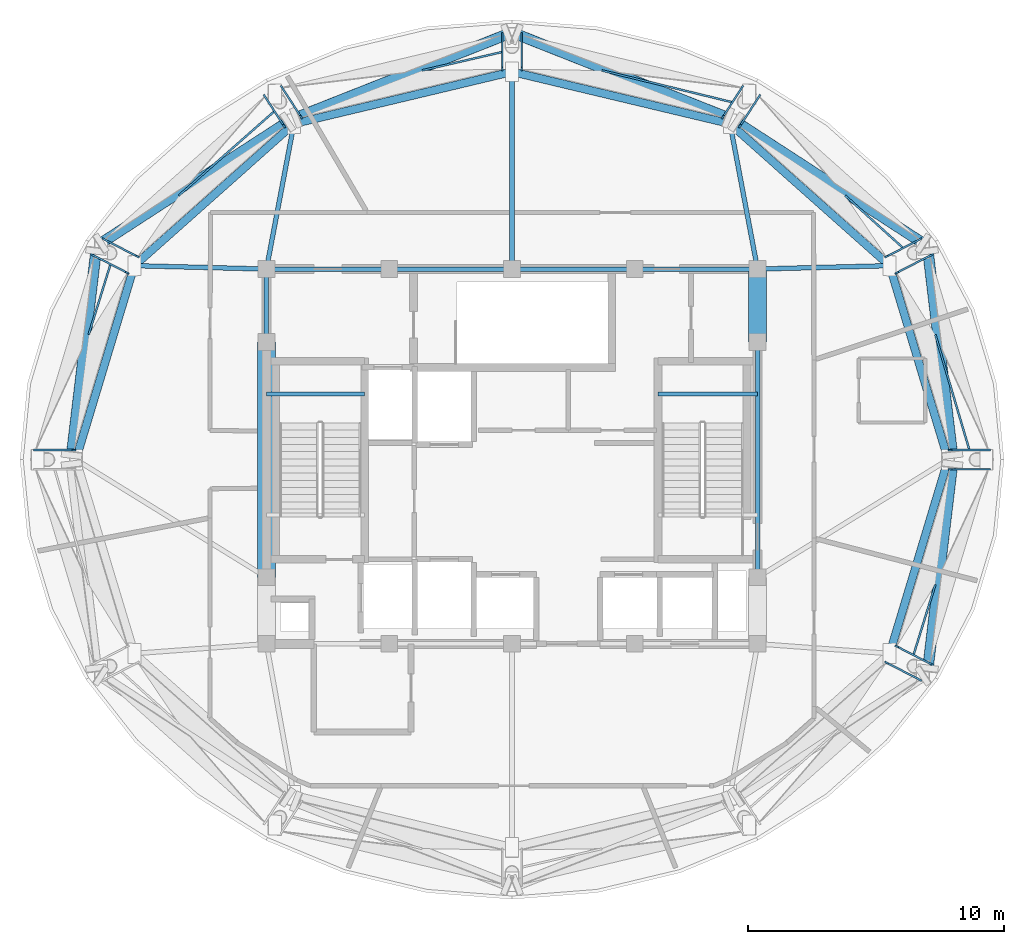
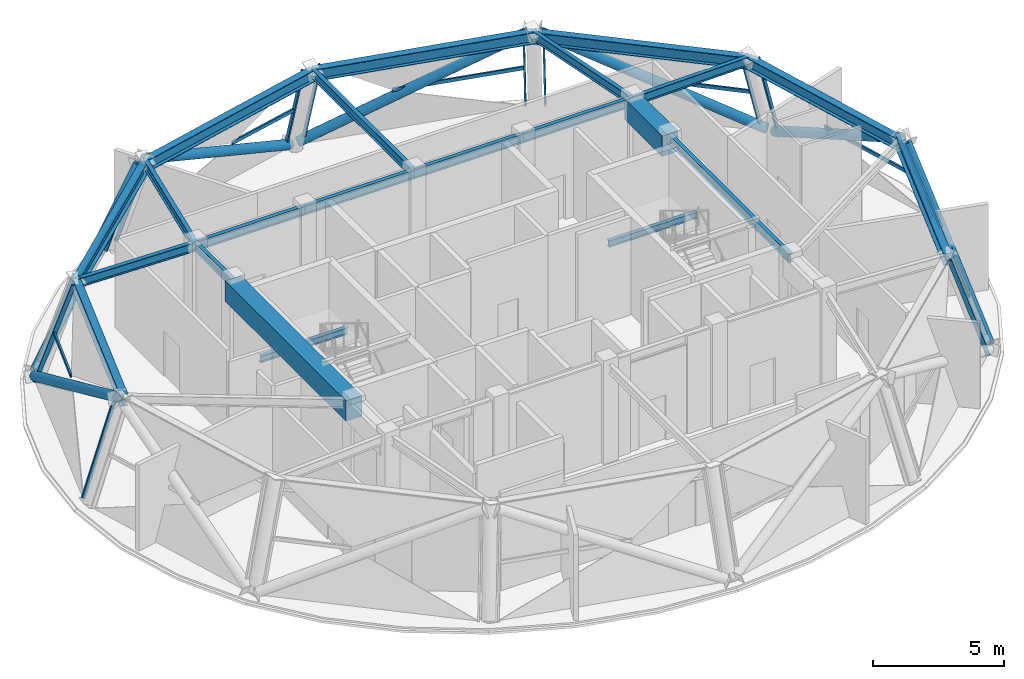
# One storey, part 2 of 11: 29 members, 22 beams, 8 elements without a shape of their own.
"""IFC4 building model written with IfcOpenShell, lengths in metres."""

from ifc_helpers import new_model, si_unit, direction, frame, origin, origin_2d, place, context, subcontext, project, spatial, rectangle, hollow_rectangle, hollow_circle, i_section, extrude, material, layer, layer_set, material_profile, profile_set, type_object, element, aggregate, save


model = new_model("IFC4")

# Units and contexts
model_context = context("Model", 3, precision=1e-05, world=origin(), true_north=direction((0.0, 1.0)))
body_context = subcontext(model_context, "Body", "Model", "MODEL_VIEW")
ifc_project = project(units=[si_unit("LENGTHUNIT", "METRE"), si_unit("AREAUNIT", "SQUARE_METRE"), si_unit("VOLUMEUNIT", "CUBIC_METRE"), si_unit("PLANEANGLEUNIT", "RADIAN"), si_unit("MASSUNIT", "GRAM", prefix="KILO")], contexts=[model_context])

# Site, building, storey
site_placement = place(None, origin())
site = spatial("IfcSite", under=ifc_project, at=site_placement, CompositionType="ELEMENT")
building_placement = place(site_placement, origin())
building = spatial("IfcBuilding", under=site, at=building_placement, Name="Vantalir Tower", CompositionType="ELEMENT")
storey_placement = place(building_placement, frame((0.0, 0.0, 299.699951171875)))
storey = spatial("IfcBuildingStorey", under=building, at=storey_placement, Name="L75", CompositionType="ELEMENT", Elevation=299.699951171875)

# Beams
ifc_material_1 = material(Name="Concrete C60/75", Category="concrete")
ifc_material_profile_1 = material_profile(ifc_material_1, rectangle(XDim=0.699951171875, YDim=0.949951171875, at=origin_2d()), Name="Concrete C60/75")
ifc_profile_set_1 = profile_set([ifc_material_profile_1], Name="Concrete C60/75")
beam_type_1 = type_object("IfcBeamType", Name="BM-CB-700x950", PredefinedType="USERDEFINED", material=ifc_profile_set_1)
beam_1_placement = place(storey_placement, frame((41.10009765625, 29.60009765625, 4.074951171875), z_axis=(0.0, 1.0, 0.0), x_axis=(-1.0, 0.0, 0.0)))
element("IfcBeam", 1, at=beam_1_placement, inside=storey, type_object=beam_type_1, Name="L75 Core Coupling Girder 07", ObjectType="GIRDER", PredefinedType="USERDEFINED", context=body_context, shape_type="SweptSolid", body=[
    extrude(rectangle(XDim=0.699951171875, YDim=0.949951171875, at=origin_2d()), origin(), (0.0, 0.0, 1.0), 2.849853515625),
])
beam_2_placement = place(storey_placement, frame((21.89990234375, 29.60009765625, 4.074951171875), z_axis=(0.0, -1.0, 0.0), x_axis=(1.0, 0.0, 0.0)))
element("IfcBeam", 2, at=beam_2_placement, inside=storey, type_object=beam_type_1, Name="L75 Core Coupling Girder 13", ObjectType="GIRDER", PredefinedType="USERDEFINED", context=body_context, shape_type="SweptSolid", body=[
    extrude(rectangle(XDim=0.699951171875, YDim=0.949951171875, at=origin_2d()), origin(), (0.0, 0.0, 1.0), 9.2001953125),
])
ifc_material_2 = material(Name="Steel S355", Category="steel")
ifc_material_profile_2 = material_profile(ifc_material_2, i_section(OverallWidth=0.166015625, OverallDepth=0.306884765625, WebThickness=0.006591796875, FlangeThickness=0.01171875, at=origin_2d()), Name="Steel S355")
ifc_profile_set_2 = profile_set([ifc_material_profile_2], Name="Steel S355")
beam_type_2 = type_object("IfcBeamType", Name="BM-JS-305x165", PredefinedType="JOIST", material=ifc_profile_set_2)
beam_3_placement = place(storey_placement, frame((21.89990234375, 27.56494140625, 2.046142578125), z_axis=(1.0, 0.0, 0.0), x_axis=(0.0, 1.0, 0.0)))
element("IfcBeam", 3, at=beam_3_placement, inside=storey, type_object=beam_type_2, Name="L75 Stair ST1 Half-Landing Support Beam", PredefinedType="JOIST", context=body_context, shape_type="SweptSolid", body=[
    extrude(i_section(OverallWidth=0.166015625, OverallDepth=0.306884765625, WebThickness=0.006591796875, FlangeThickness=0.01171875, at=origin_2d()), origin(), (0.0, 0.0, 1.0), 3.840087890625),
])
beam_4_placement = place(storey_placement, frame((37.2099609375, 27.56494140625, 2.046142578125), z_axis=(1.0, 0.0, 0.0), x_axis=(0.0, 1.0, 0.0)))
element("IfcBeam", 4, at=beam_4_placement, inside=storey, type_object=beam_type_2, Name="L75 Stair ST2 Half-Landing Support Beam", PredefinedType="JOIST", context=body_context, shape_type="SweptSolid", body=[
    extrude(i_section(OverallWidth=0.166015625, OverallDepth=0.306884765625, WebThickness=0.006591796875, FlangeThickness=0.01171875, at=origin_2d()), origin(), (0.0, 0.0, 1.0), 3.89013671875),
])
ifc_material_profile_3 = material_profile(ifc_material_2, i_section(OverallWidth=0.179931640625, OverallDepth=0.4130859375, WebThickness=0.009521484375, FlangeThickness=0.01611328125, at=origin_2d()), Name="Steel S355")
ifc_profile_set_3 = profile_set([ifc_material_profile_3], Name="Steel S355")
beam_type_3 = type_object("IfcBeamType", Name="BM-RB-406x178", PredefinedType="BEAM", material=ifc_profile_set_3)
beam_5_placement = place(storey_placement, frame((41.10009765625, 20.39990234375, 4.343994140625), z_axis=(0.0, 1.0, 0.0), x_axis=(-1.0, 0.0, 0.0)))
element("IfcBeam", 5, at=beam_5_placement, inside=storey, type_object=beam_type_3, Name="L75 Core Coupling Girder 06", PredefinedType="BEAM", context=body_context, shape_type="SweptSolid", body=[
    extrude(i_section(OverallWidth=0.179931640625, OverallDepth=0.4130859375, WebThickness=0.009521484375, FlangeThickness=0.01611328125, at=origin_2d()), origin(), (0.0, 0.0, 1.0), 9.2001953125),
])
for number, where, z_axis, x_axis, name in (
    (6, (41.10009765625, 32.449951171875, 4.343994140625), (-1.0, 0.0, 0.0), (0.0, -1.0, 0.0), "L75 Core Coupling Girder 08"),
    (7, (36.300048828125, 32.449951171875, 4.343994140625), (-1.0, 0.0, 0.0), (0.0, -1.0, 0.0), "L75 Core Coupling Girder 09"),
    (8, (31.5, 32.449951171875, 4.343994140625), (-1.0, 0.0, 0.0), (0.0, -1.0, 0.0), "L75 Core Coupling Girder 10"),
    (9, (26.699951171875, 32.449951171875, 4.343994140625), (-1.0, 0.0, 0.0), (0.0, -1.0, 0.0), "L75 Core Coupling Girder 11"),
):
    element("IfcBeam", number, at=place(storey_placement, frame(where, z_axis=z_axis, x_axis=x_axis)), inside=storey, type_object=beam_type_3, Name=name, PredefinedType="BEAM", context=body_context, shape_type="SweptSolid", body=[
        extrude(i_section(OverallWidth=0.179931640625, OverallDepth=0.4130859375, WebThickness=0.009521484375, FlangeThickness=0.01611328125, at=origin_2d()), origin(), (0.0, 0.0, 1.0), 4.800048828125),
    ])
beam_6_placement = place(storey_placement, frame((21.89990234375, 32.449951171875, 4.343994140625), z_axis=(0.0, -1.0, 0.0), x_axis=(1.0, 0.0, 0.0)))
element("IfcBeam", 10, at=beam_6_placement, inside=storey, type_object=beam_type_3, Name="L75 Core Coupling Girder 12", PredefinedType="BEAM", context=body_context, shape_type="SweptSolid", body=[
    extrude(i_section(OverallWidth=0.179931640625, OverallDepth=0.4130859375, WebThickness=0.009521484375, FlangeThickness=0.01611328125, at=origin_2d()), origin(), (0.0, 0.0, 1.0), 2.849853515625),
])
beam_7_placement = place(storey_placement, frame((46.26611328125, 32.58203125, 4.343994140625), z_axis=(-0.999673321649, -0.02555875553, 0.0), x_axis=(0.02555875553, -0.999673321649, 0.0)))
element("IfcBeam", 11, at=beam_7_placement, inside=storey, type_object=beam_type_3, Name="L75 Radial Floor Beam 02", PredefinedType="BEAM", context=body_context, shape_type="SweptSolid", body=[
    extrude(i_section(OverallWidth=0.179931640625, OverallDepth=0.4130859375, WebThickness=0.009521484375, FlangeThickness=0.01611328125, at=origin_2d()), origin(), (0.0, 0.0, 1.0), 5.167724609375),
])
beam_8_placement = place(storey_placement, frame((40.02490234375, 38.132080078125, 4.343994140625), z_axis=(0.185924715344, -0.982563992941, 0.0), x_axis=(0.982563992941, 0.185924715344, 0.0)))
element("IfcBeam", 12, at=beam_8_placement, inside=storey, type_object=beam_type_3, Name="L75 Radial Floor Beam 03", PredefinedType="BEAM", context=body_context, shape_type="SweptSolid", body=[
    extrude(i_section(OverallWidth=0.179931640625, OverallDepth=0.4130859375, WebThickness=0.009521484375, FlangeThickness=0.01611328125, at=origin_2d()), origin(), (0.0, 0.0, 1.0), 5.782958984375),
])
beam_9_placement = place(storey_placement, frame((31.5, 40.1640625, 4.343994140625), z_axis=(0.0, -1.0, 0.0), x_axis=(1.0, 0.0, 0.0)))
element("IfcBeam", 13, at=beam_9_placement, inside=storey, type_object=beam_type_3, Name="L75 Radial Floor Beam 04", PredefinedType="BEAM", context=body_context, shape_type="SweptSolid", body=[
    extrude(i_section(OverallWidth=0.179931640625, OverallDepth=0.4130859375, WebThickness=0.009521484375, FlangeThickness=0.01611328125, at=origin_2d()), origin(), (0.0, 0.0, 1.0), 7.714111328125),
])
beam_10_placement = place(storey_placement, frame((22.97509765625, 38.132080078125, 4.343994140625), z_axis=(-0.185924715344, -0.982563992941, 0.0), x_axis=(0.982563992941, -0.185924715344, 0.0)))
element("IfcBeam", 14, at=beam_10_placement, inside=storey, type_object=beam_type_3, Name="L75 Radial Floor Beam 05", PredefinedType="BEAM", context=body_context, shape_type="SweptSolid", body=[
    extrude(i_section(OverallWidth=0.179931640625, OverallDepth=0.4130859375, WebThickness=0.009521484375, FlangeThickness=0.01611328125, at=origin_2d()), origin(), (0.0, 0.0, 1.0), 5.782958984375),
])
beam_11_placement = place(storey_placement, frame((16.73388671875, 32.58203125, 4.343994140625), z_axis=(0.999673321649, -0.02555875553, 0.0), x_axis=(0.02555875553, 0.999673321649, 0.0)))
element("IfcBeam", 15, at=beam_11_placement, inside=storey, type_object=beam_type_3, Name="L75 Radial Floor Beam 06", PredefinedType="BEAM", context=body_context, shape_type="SweptSolid", body=[
    extrude(i_section(OverallWidth=0.179931640625, OverallDepth=0.4130859375, WebThickness=0.009521484375, FlangeThickness=0.01611328125, at=origin_2d()), origin(), (0.0, 0.0, 1.0), 5.167724609375),
])
ifc_material_3 = material(Name="Steel S460", Category="steel")
ifc_material_profile_4 = material_profile(ifc_material_3, i_section(OverallWidth=0.31201171875, OverallDepth=0.5419921875, WebThickness=0.0126953125, FlangeThickness=0.020263671875, at=origin_2d()), Name="Steel S460")
ifc_profile_set_4 = profile_set([ifc_material_profile_4], Name="Steel S460")
beam_type_4 = type_object("IfcBeamType", Name="BM-RG-533x312", PredefinedType="USERDEFINED", material=ifc_profile_set_4)
beam_12_placement = place(storey_placement, frame((48.550048828125, 25.0, 4.279052734375), z_axis=(-0.288428217776, 0.957501521247, 0.0), x_axis=(-0.957501521247, -0.288428217776, 0.0)))
element("IfcBeam", 16, at=beam_12_placement, inside=storey, type_object=beam_type_4, Name="L75 Circumferential Ring Girder 01", ObjectType="GIRDER", PredefinedType="USERDEFINED", context=body_context, shape_type="SweptSolid", body=[
    extrude(i_section(OverallWidth=0.31201171875, OverallDepth=0.5419921875, WebThickness=0.0126953125, FlangeThickness=0.020263671875, at=origin_2d()), origin(), (0.0, 0.0, 1.0), 7.91845703125),
])
beam_13_placement = place(storey_placement, frame((46.26611328125, 32.58203125, 4.279052734375), z_axis=(-0.747272217457, 0.664518045667, 0.0), x_axis=(-0.664518045667, -0.747272217457, 0.0)))
element("IfcBeam", 17, at=beam_13_placement, inside=storey, type_object=beam_type_4, Name="L75 Circumferential Ring Girder 02", ObjectType="GIRDER", PredefinedType="USERDEFINED", context=body_context, shape_type="SweptSolid", body=[
    extrude(i_section(OverallWidth=0.31201171875, OverallDepth=0.5419921875, WebThickness=0.0126953125, FlangeThickness=0.020263671875, at=origin_2d()), origin(), (0.0, 0.0, 1.0), 8.35205078125),
])
for number, where, z_axis, x_axis, name in (
    (18, (40.02490234375, 38.132080078125, 4.279052734375), (-0.972748495566, 0.231862813695, 0.0), (-0.231862813695, -0.972748495566, 0.0), "L75 Circumferential Ring Girder 03"),
    (19, (31.5, 40.1640625, 4.279052734375), (-0.972748495566, -0.231862813695, 0.0), (0.231862813695, -0.972748495566, 0.0), "L75 Circumferential Ring Girder 04"),
):
    element("IfcBeam", number, at=place(storey_placement, frame(where, z_axis=z_axis, x_axis=x_axis)), inside=storey, type_object=beam_type_4, Name=name, ObjectType="GIRDER", PredefinedType="USERDEFINED", context=body_context, shape_type="SweptSolid", body=[
        extrude(i_section(OverallWidth=0.31201171875, OverallDepth=0.5419921875, WebThickness=0.0126953125, FlangeThickness=0.020263671875, at=origin_2d()), origin(), (0.0, 0.0, 1.0), 8.763671875),
    ])
beam_14_placement = place(storey_placement, frame((22.97509765625, 38.132080078125, 4.279052734375), z_axis=(-0.747272217457, -0.664518045667, 0.0), x_axis=(0.664518045667, -0.747272217457, 0.0)))
element("IfcBeam", 20, at=beam_14_placement, inside=storey, type_object=beam_type_4, Name="L75 Circumferential Ring Girder 05", ObjectType="GIRDER", PredefinedType="USERDEFINED", context=body_context, shape_type="SweptSolid", body=[
    extrude(i_section(OverallWidth=0.31201171875, OverallDepth=0.5419921875, WebThickness=0.0126953125, FlangeThickness=0.020263671875, at=origin_2d()), origin(), (0.0, 0.0, 1.0), 8.35205078125),
])
for number, where, z_axis, x_axis, name in (
    (21, (16.73388671875, 32.58203125, 4.279052734375), (-0.288428217776, -0.957501521247, 0.0), (0.957501521247, -0.288428217776, 0.0), "L75 Circumferential Ring Girder 06"),
    (22, (46.26611328125, 17.41796875, 4.279052734375), (0.288428217776, 0.957501521247, 0.0), (-0.957501521247, 0.288428217776, 0.0), "L75 Circumferential Ring Girder 12"),
):
    element("IfcBeam", number, at=place(storey_placement, frame(where, z_axis=z_axis, x_axis=x_axis)), inside=storey, type_object=beam_type_4, Name=name, ObjectType="GIRDER", PredefinedType="USERDEFINED", context=body_context, shape_type="SweptSolid", body=[
        extrude(i_section(OverallWidth=0.31201171875, OverallDepth=0.5419921875, WebThickness=0.0126953125, FlangeThickness=0.020263671875, at=origin_2d()), origin(), (0.0, 0.0, 1.0), 7.91845703125),
    ])

# Curtain wall, members
ifc_material_4 = material(Name="Champagne-silver PVDF aluminium and double-silver Low-E glass", Category="aluminium")
ifc_layer = layer(ifc_material_4, 0.219970703125)
ifc_layer_set = layer_set([ifc_layer], Name="Champagne-silver PVDF aluminium and double-silver Low-E glass")
curtain_wall_type = type_object("IfcCurtainWallType", Name="CW-DIAMOND-Z4", PredefinedType="USERDEFINED", material=ifc_layer_set)
curtain_wall_1_placement = place(storey_placement, origin())
curtain_wall_1 = element("IfcCurtainWall", 23, at=curtain_wall_1_placement, inside=storey, type_object=curtain_wall_type, Name="L75 Quilted Pyramid-Diamond Curtain Wall S01", ObjectType="UNITISED CURTAIN WALL", PredefinedType="USERDEFINED")
ifc_material_5 = material(Name="Champagne-silver PVDF aluminium 6063-T6", Category="aluminium")
ifc_material_profile_5 = material_profile(ifc_material_5, hollow_rectangle(XDim=0.070068359375, YDim=0.1650390625, WallThickness=0.00390625, at=origin_2d()), Name="Champagne-silver PVDF aluminium 6063-T6")
ifc_profile_set_5 = profile_set([ifc_material_profile_5], Name="Champagne-silver PVDF aluminium 6063-T6")
member_type_1 = type_object("IfcMemberType", Name="CWM-165x70", PredefinedType="MULLION", material=ifc_profile_set_5)
member_1_placement = place(storey_placement, frame((50.137939453125, 25.373046875, 0.045166015625), z_axis=(-0.320688497526, 0.0, 0.947184716702), x_axis=(0.0, -1.0, 0.0)))
member_1 = element("IfcMember", 24, at=member_1_placement, type_object=member_type_1, Name="CW-L75-S01 Mullion 1", PredefinedType="MULLION", context=body_context, shape_type="SweptSolid", body=[
    extrude(hollow_rectangle(XDim=0.070068359375, YDim=0.1650390625, WallThickness=0.00390625, at=origin_2d()), origin(), (0.0, 0.0, 1.0), 4.708740234375),
])
member_2_placement = place(storey_placement, frame((47.85009765625, 32.97802734375, 0.045166015625), z_axis=(-0.278529919879, -0.143527642551, 0.949642511451), x_axis=(0.458063858767, -0.888919288401, 0.0)))
member_2 = element("IfcMember", 25, at=member_2_placement, type_object=member_type_1, Name="CW-L75-S01 Mullion 2", PredefinedType="MULLION", context=body_context, shape_type="SweptSolid", body=[
    extrude(hollow_rectangle(XDim=0.070068359375, YDim=0.1650390625, WallThickness=0.00390625, at=origin_2d()), origin(), (0.0, 0.0, 1.0), 4.696533203125),
])

curtain_wall_2_placement = place(storey_placement, origin())
curtain_wall_2 = element("IfcCurtainWall", 26, at=curtain_wall_2_placement, inside=storey, type_object=curtain_wall_type, Name="L75 Quilted Pyramid-Diamond Curtain Wall S02", ObjectType="UNITISED CURTAIN WALL", PredefinedType="USERDEFINED")
member_3_placement = place(storey_placement, frame((47.447021484375, 33.610107421875, 0.045166015625), z_axis=(-0.278529919879, -0.143527642551, 0.949642511451), x_axis=(0.458063858767, -0.888919288401, 0.0)))
member_3 = element("IfcMember", 27, at=member_3_placement, type_object=member_type_1, Name="CW-L75-S02 Mullion 1", PredefinedType="MULLION", context=body_context, shape_type="SweptSolid", body=[
    extrude(hollow_rectangle(XDim=0.070068359375, YDim=0.1650390625, WallThickness=0.00390625, at=origin_2d()), origin(), (0.0, 0.0, 1.0), 4.696533203125),
])
member_4_placement = place(storey_placement, frame((41.166015625, 39.205078125, 0.045166015625), z_axis=(-0.16164391933, -0.249808578854, 0.954707765379), x_axis=(0.839565444793, -0.543258560825, 0.0)))
member_4 = element("IfcMember", 28, at=member_4_placement, type_object=member_type_1, Name="CW-L75-S02 Mullion 2", PredefinedType="MULLION", context=body_context, shape_type="SweptSolid", body=[
    extrude(hollow_rectangle(XDim=0.070068359375, YDim=0.1650390625, WallThickness=0.00390625, at=origin_2d()), origin(), (0.0, 0.0, 1.0), 4.671630859375),
])

curtain_wall_3_placement = place(storey_placement, origin())
curtain_wall_3 = element("IfcCurtainWall", 29, at=curtain_wall_3_placement, inside=storey, type_object=curtain_wall_type, Name="L75 Quilted Pyramid-Diamond Curtain Wall S03", ObjectType="UNITISED CURTAIN WALL", PredefinedType="USERDEFINED")
member_5_placement = place(storey_placement, frame((40.49609375, 39.554931640625, 0.045166015625), z_axis=(-0.16164391933, -0.249808578854, 0.954707765379), x_axis=(0.839565444793, -0.543258560825, 0.0)))
member_5 = element("IfcMember", 30, at=member_5_placement, type_object=member_type_1, Name="CW-L75-S03 Mullion 1", PredefinedType="MULLION", context=body_context, shape_type="SweptSolid", body=[
    extrude(hollow_rectangle(XDim=0.070068359375, YDim=0.1650390625, WallThickness=0.00390625, at=origin_2d()), origin(), (0.0, 0.0, 1.0), 4.671630859375),
])
member_6_placement = place(storey_placement, frame((31.87890625, 41.611083984375, 0.045166015625), z_axis=(0.0, -0.289347072892, 0.957224253458), x_axis=(1.0, 0.0, 0.0)))
member_6 = element("IfcMember", 31, at=member_6_placement, type_object=member_type_1, Name="CW-L75-S03 Mullion 2", PredefinedType="MULLION", context=body_context, shape_type="SweptSolid", body=[
    extrude(hollow_rectangle(XDim=0.070068359375, YDim=0.1650390625, WallThickness=0.00390625, at=origin_2d()), origin(), (0.0, 0.0, 1.0), 4.6591796875),
])

curtain_wall_4_placement = place(storey_placement, origin())
curtain_wall_4 = element("IfcCurtainWall", 32, at=curtain_wall_4_placement, inside=storey, type_object=curtain_wall_type, Name="L75 Quilted Pyramid-Diamond Curtain Wall S04", ObjectType="UNITISED CURTAIN WALL", PredefinedType="USERDEFINED")
member_7_placement = place(storey_placement, frame((31.12109375, 41.611083984375, 0.045166015625), z_axis=(0.0, -0.289347072892, 0.957224253458), x_axis=(1.0, 0.0, 0.0)))
member_7 = element("IfcMember", 33, at=member_7_placement, type_object=member_type_1, Name="CW-L75-S04 Mullion 1", PredefinedType="MULLION", context=body_context, shape_type="SweptSolid", body=[
    extrude(hollow_rectangle(XDim=0.070068359375, YDim=0.1650390625, WallThickness=0.00390625, at=origin_2d()), origin(), (0.0, 0.0, 1.0), 4.6591796875),
])
member_8_placement = place(storey_placement, frame((22.50390625, 39.554931640625, 0.045166015625), z_axis=(0.16164391933, -0.249808578854, 0.954707765379), x_axis=(0.839565444793, 0.543258560825, 0.0)))
member_8 = element("IfcMember", 34, at=member_8_placement, type_object=member_type_1, Name="CW-L75-S04 Mullion 2", PredefinedType="MULLION", context=body_context, shape_type="SweptSolid", body=[
    extrude(hollow_rectangle(XDim=0.070068359375, YDim=0.1650390625, WallThickness=0.00390625, at=origin_2d()), origin(), (0.0, 0.0, 1.0), 4.671630859375),
])

curtain_wall_5_placement = place(storey_placement, origin())
curtain_wall_5 = element("IfcCurtainWall", 35, at=curtain_wall_5_placement, inside=storey, type_object=curtain_wall_type, Name="L75 Quilted Pyramid-Diamond Curtain Wall S05", ObjectType="UNITISED CURTAIN WALL", PredefinedType="USERDEFINED")
member_9_placement = place(storey_placement, frame((21.833984375, 39.205078125, 0.045166015625), z_axis=(0.16164391933, -0.249808578854, 0.954707765379), x_axis=(0.839565444793, 0.543258560825, 0.0)))
member_9 = element("IfcMember", 36, at=member_9_placement, type_object=member_type_1, Name="CW-L75-S05 Mullion 1", PredefinedType="MULLION", context=body_context, shape_type="SweptSolid", body=[
    extrude(hollow_rectangle(XDim=0.070068359375, YDim=0.1650390625, WallThickness=0.00390625, at=origin_2d()), origin(), (0.0, 0.0, 1.0), 4.671630859375),
])
member_10_placement = place(storey_placement, frame((15.552978515625, 33.610107421875, 0.045166015625), z_axis=(0.278529919879, -0.143527642551, 0.949642511451), x_axis=(0.458063858767, 0.888919288401, 0.0)))
member_10 = element("IfcMember", 37, at=member_10_placement, type_object=member_type_1, Name="CW-L75-S05 Mullion 2", PredefinedType="MULLION", context=body_context, shape_type="SweptSolid", body=[
    extrude(hollow_rectangle(XDim=0.070068359375, YDim=0.1650390625, WallThickness=0.00390625, at=origin_2d()), origin(), (0.0, 0.0, 1.0), 4.696533203125),
])

curtain_wall_6_placement = place(storey_placement, origin())
curtain_wall_6 = element("IfcCurtainWall", 38, at=curtain_wall_6_placement, inside=storey, type_object=curtain_wall_type, Name="L75 Quilted Pyramid-Diamond Curtain Wall S06", ObjectType="UNITISED CURTAIN WALL", PredefinedType="USERDEFINED")
member_11_placement = place(storey_placement, frame((15.14990234375, 32.97802734375, 0.045166015625), z_axis=(0.278529919879, -0.143527642551, 0.949642511451), x_axis=(0.458063858767, 0.888919288401, 0.0)))
member_11 = element("IfcMember", 39, at=member_11_placement, type_object=member_type_1, Name="CW-L75-S06 Mullion 1", PredefinedType="MULLION", context=body_context, shape_type="SweptSolid", body=[
    extrude(hollow_rectangle(XDim=0.070068359375, YDim=0.1650390625, WallThickness=0.00390625, at=origin_2d()), origin(), (0.0, 0.0, 1.0), 4.696533203125),
])
member_12_placement = place(storey_placement, frame((12.862060546875, 25.373046875, 0.045166015625), z_axis=(0.320688497526, 0.0, 0.947184716702), x_axis=(0.0, 1.0, 0.0)))
member_12 = element("IfcMember", 40, at=member_12_placement, type_object=member_type_1, Name="CW-L75-S06 Mullion 2", PredefinedType="MULLION", context=body_context, shape_type="SweptSolid", body=[
    extrude(hollow_rectangle(XDim=0.070068359375, YDim=0.1650390625, WallThickness=0.00390625, at=origin_2d()), origin(), (0.0, 0.0, 1.0), 4.708740234375),
])

# Curtain wall, member
curtain_wall_7_placement = place(storey_placement, origin())
curtain_wall_7 = element("IfcCurtainWall", 41, at=curtain_wall_7_placement, inside=storey, type_object=curtain_wall_type, Name="L75 Quilted Pyramid-Diamond Curtain Wall S11", ObjectType="UNITISED CURTAIN WALL", PredefinedType="USERDEFINED")
member_13_placement = place(storey_placement, frame((47.447021484375, 16.389892578125, 0.045166015625), z_axis=(-0.278529919879, 0.143527642551, 0.949642511451), x_axis=(-0.458063858767, -0.888919288401, 0.0)))
member_13 = element("IfcMember", 42, at=member_13_placement, type_object=member_type_1, Name="CW-L75-S11 Mullion 2", PredefinedType="MULLION", context=body_context, shape_type="SweptSolid", body=[
    extrude(hollow_rectangle(XDim=0.070068359375, YDim=0.1650390625, WallThickness=0.00390625, at=origin_2d()), origin(), (0.0, 0.0, 1.0), 4.696533203125),
])
aggregate(curtain_wall_7, [member_13])

# Curtain wall, members
curtain_wall_8_placement = place(storey_placement, origin())
curtain_wall_8 = element("IfcCurtainWall", 43, at=curtain_wall_8_placement, inside=storey, type_object=curtain_wall_type, Name="L75 Quilted Pyramid-Diamond Curtain Wall S12", ObjectType="UNITISED CURTAIN WALL", PredefinedType="USERDEFINED")
member_14_placement = place(storey_placement, frame((47.85009765625, 17.02197265625, 0.045166015625), z_axis=(-0.278529919879, 0.143527642551, 0.949642511451), x_axis=(-0.458063858767, -0.888919288401, 0.0)))
member_14 = element("IfcMember", 44, at=member_14_placement, type_object=member_type_1, Name="CW-L75-S12 Mullion 1", PredefinedType="MULLION", context=body_context, shape_type="SweptSolid", body=[
    extrude(hollow_rectangle(XDim=0.070068359375, YDim=0.1650390625, WallThickness=0.00390625, at=origin_2d()), origin(), (0.0, 0.0, 1.0), 4.696533203125),
])
member_15_placement = place(storey_placement, frame((50.137939453125, 24.626953125, 0.045166015625), z_axis=(-0.320688497526, 0.0, 0.947184716702), x_axis=(0.0, -1.0, 0.0)))
member_15 = element("IfcMember", 45, at=member_15_placement, type_object=member_type_1, Name="CW-L75-S12 Mullion 2", PredefinedType="MULLION", context=body_context, shape_type="SweptSolid", body=[
    extrude(hollow_rectangle(XDim=0.070068359375, YDim=0.1650390625, WallThickness=0.00390625, at=origin_2d()), origin(), (0.0, 0.0, 1.0), 4.708740234375),
])

# Member
ifc_material_profile_6 = material_profile(ifc_material_5, hollow_rectangle(XDim=0.074951171875, YDim=0.159912109375, WallThickness=0.00390625, at=origin_2d()), Name="Champagne-silver PVDF aluminium 6063-T6")
ifc_profile_set_6 = profile_set([ifc_material_profile_6], Name="Champagne-silver PVDF aluminium 6063-T6")
member_type_2 = type_object("IfcMemberType", Name="CWT-160x75", PredefinedType="USERDEFINED", material=ifc_profile_set_6)
member_16_placement = place(storey_placement, frame((49.383056640625, 25.373046875, 2.275146484375), z_axis=(-0.283275649761, 0.959038532204, 0.0), x_axis=(-0.959038532204, -0.283275649761, 0.0)))
member_16 = element("IfcMember", 46, at=member_16_placement, type_object=member_type_2, Name="CW-L75-S01 Pyramid Fold Ridge Transom", ObjectType="TRANSOM", PredefinedType="USERDEFINED", context=body_context, shape_type="SweptSolid", body=[
    extrude(hollow_rectangle(XDim=0.074951171875, YDim=0.159912109375, WallThickness=0.00390625, at=origin_2d()), origin(), (0.0, 0.0, 1.0), 4.705810546875),
])

aggregate(curtain_wall_1, [member_1, member_2, member_16])

member_17_placement = place(storey_placement, frame((46.79296875, 33.27294921875, 2.275146484375), z_axis=(-0.741585058255, 0.67085885354, 0.0), x_axis=(-0.67085885354, -0.741585058255, 0.0)))
member_17 = element("IfcMember", 47, at=member_17_placement, type_object=member_type_2, Name="CW-L75-S02 Pyramid Fold Ridge Transom", ObjectType="TRANSOM", PredefinedType="USERDEFINED", context=body_context, shape_type="SweptSolid", body=[
    extrude(hollow_rectangle(XDim=0.074951171875, YDim=0.159912109375, WallThickness=0.00390625, at=origin_2d()), origin(), (0.0, 0.0, 1.0), 3.051513671875),
])

aggregate(curtain_wall_2, [member_3, member_4, member_17])

member_18_placement = place(storey_placement, frame((40.117919921875, 38.970947265625, 2.275146484375), z_axis=(-0.971585028831, 0.236690793551, 0.0), x_axis=(-0.236690793551, -0.971585028831, 0.0)))
member_18 = element("IfcMember", 48, at=member_18_placement, type_object=member_type_2, Name="CW-L75-S03 Pyramid Fold Ridge Transom", ObjectType="TRANSOM", PredefinedType="USERDEFINED", context=body_context, shape_type="SweptSolid", body=[
    extrude(hollow_rectangle(XDim=0.074951171875, YDim=0.159912109375, WallThickness=0.00390625, at=origin_2d()), origin(), (0.0, 0.0, 1.0), 5.252197265625),
])

aggregate(curtain_wall_3, [member_5, member_6, member_18])

member_19_placement = place(storey_placement, frame((31.12109375, 40.93701171875, 2.275146484375), z_axis=(-0.974444867837, -0.224626800597, 0.0), x_axis=(0.224626800597, -0.974444867837, 0.0)))
member_19 = element("IfcMember", 49, at=member_19_placement, type_object=member_type_2, Name="CW-L75-S04 Pyramid Fold Ridge Transom", ObjectType="TRANSOM", PredefinedType="USERDEFINED", context=body_context, shape_type="SweptSolid", body=[
    extrude(hollow_rectangle(XDim=0.074951171875, YDim=0.159912109375, WallThickness=0.00390625, at=origin_2d()), origin(), (0.0, 0.0, 1.0), 3.21826171875),
])

aggregate(curtain_wall_4, [member_7, member_8, member_19])

member_20_placement = place(storey_placement, frame((22.2109375, 38.62109375, 2.275146484375), z_axis=(-0.749820718578, -0.661641058272, 0.0), x_axis=(0.661641058272, -0.749820718578, 0.0)))
member_20 = element("IfcMember", 50, at=member_20_placement, type_object=member_type_2, Name="CW-L75-S05 Pyramid Fold Ridge Transom", ObjectType="TRANSOM", PredefinedType="USERDEFINED", context=body_context, shape_type="SweptSolid", body=[
    extrude(hollow_rectangle(XDim=0.074951171875, YDim=0.159912109375, WallThickness=0.00390625, at=origin_2d()), origin(), (0.0, 0.0, 1.0), 4.9892578125),
])

aggregate(curtain_wall_5, [member_9, member_10, member_20])

member_21_placement = place(storey_placement, frame((15.803955078125, 32.64111328125, 2.275146484375), z_axis=(-0.296071744171, -0.955165704108, 0.0), x_axis=(0.955165704108, -0.296071744171, 0.0)))
member_21 = element("IfcMember", 51, at=member_21_placement, type_object=member_type_2, Name="CW-L75-S06 Pyramid Fold Ridge Transom", ObjectType="TRANSOM", PredefinedType="USERDEFINED", context=body_context, shape_type="SweptSolid", body=[
    extrude(hollow_rectangle(XDim=0.074951171875, YDim=0.159912109375, WallThickness=0.00390625, at=origin_2d()), origin(), (0.0, 0.0, 1.0), 2.884521484375),
])

aggregate(curtain_wall_6, [member_11, member_12, member_21])

member_22_placement = place(storey_placement, frame((47.196044921875, 17.35888671875, 2.275146484375), z_axis=(0.296071744171, 0.955165704108, 0.0), x_axis=(-0.955165704108, 0.296071744171, 0.0)))
member_22 = element("IfcMember", 52, at=member_22_placement, type_object=member_type_2, Name="CW-L75-S12 Pyramid Fold Ridge Transom", ObjectType="TRANSOM", PredefinedType="USERDEFINED", context=body_context, shape_type="SweptSolid", body=[
    extrude(hollow_rectangle(XDim=0.074951171875, YDim=0.159912109375, WallThickness=0.00390625, at=origin_2d()), origin(), (0.0, 0.0, 1.0), 2.884521484375),
])

aggregate(curtain_wall_8, [member_14, member_15, member_22])

# Members
ifc_material_profile_7 = material_profile(ifc_material_3, hollow_circle(Radius=0.2099609375, WallThickness=0.02490234375, at=origin_2d()), Name="Steel S460")
ifc_profile_set_7 = profile_set([ifc_material_profile_7], Name="Steel S460")
member_type_3 = type_object("IfcMemberType", Name="MEM-DB-420x25", PredefinedType="BRACE", material=ifc_profile_set_7)
member_23_placement = place(storey_placement, frame((47.572021484375, 33.458984375, 0.176025390625), z_axis=(-0.755197281498, 0.49025573421, 0.435116514387), x_axis=(-0.544502228893, -0.838759395018, 0.0)))
element("IfcMember", 53, at=member_23_placement, inside=storey, type_object=member_type_3, Name="L75 Perimeter S460 Diagrid Brace R04L", PredefinedType="BRACE", context=body_context, shape_type="SweptSolid", body=[
    extrude(hollow_circle(Radius=0.2099609375, WallThickness=0.02490234375, at=origin_2d()), origin(), (0.0, 0.0, 1.0), 9.64794921875),
])
member_24_placement = place(storey_placement, frame((47.760986328125, 33.156982421875, 0.18212890625), z_axis=(0.105678789826, -0.880188817409, 0.462709022053), x_axis=(0.992869346267, 0.119207639195, 0.0)))
element("IfcMember", 54, at=member_24_placement, inside=storey, type_object=member_type_3, Name="L75 Perimeter S460 Diagrid Brace R04R", PredefinedType="BRACE", context=body_context, shape_type="SweptSolid", body=[
    extrude(hollow_circle(Radius=0.2099609375, WallThickness=0.02490234375, at=origin_2d()), origin(), (0.0, 0.0, 1.0), 9.046875),
])
for number, where, z_axis, x_axis, name in (
    (55, (31.31494140625, 41.62890625, 0.174072265625), (-0.84053281157, -0.332014440366, 0.428101628194), (0.367382094463, -0.930070103093, 0.0), "L75 Perimeter S460 Diagrid Brace R10L"),
    (56, (31.68505859375, 41.62890625, 0.174072265625), (0.84053281157, -0.332014440366, 0.428101628194), (0.367382094463, 0.930070103093, 0.0), "L75 Perimeter S460 Diagrid Brace R10R"),
):
    element("IfcMember", number, at=place(storey_placement, frame(where, z_axis=z_axis, x_axis=x_axis)), inside=storey, type_object=member_type_3, Name=name, PredefinedType="BRACE", context=body_context, shape_type="SweptSolid", body=[
        extrude(hollow_circle(Radius=0.2099609375, WallThickness=0.02490234375, at=origin_2d()), origin(), (0.0, 0.0, 1.0), 9.815185546875),
    ])
member_25_placement = place(storey_placement, frame((15.239013671875, 33.156982421875, 0.18212890625), z_axis=(-0.105678789826, -0.880188817409, 0.462709022053), x_axis=(0.992869346267, -0.119207639195, 0.0)))
element("IfcMember", 57, at=member_25_placement, inside=storey, type_object=member_type_3, Name="L75 Perimeter S460 Diagrid Brace R16L", PredefinedType="BRACE", context=body_context, shape_type="SweptSolid", body=[
    extrude(hollow_circle(Radius=0.2099609375, WallThickness=0.02490234375, at=origin_2d()), origin(), (0.0, 0.0, 1.0), 9.046875),
])
member_26_placement = place(storey_placement, frame((15.427978515625, 33.458984375, 0.176025390625), z_axis=(0.755197281498, 0.49025573421, 0.435116514387), x_axis=(-0.544502228893, 0.838759395018, 0.0)))
element("IfcMember", 58, at=member_26_placement, inside=storey, type_object=member_type_3, Name="L75 Perimeter S460 Diagrid Brace R16R", PredefinedType="BRACE", context=body_context, shape_type="SweptSolid", body=[
    extrude(hollow_circle(Radius=0.2099609375, WallThickness=0.02490234375, at=origin_2d()), origin(), (0.0, 0.0, 1.0), 9.64794921875),
])
member_27_placement = place(storey_placement, frame((47.760986328125, 16.843017578125, 0.18212890625), z_axis=(0.105678789826, 0.880188817409, 0.462709022053), x_axis=(-0.992869346267, 0.119207639195, 0.0)))
element("IfcMember", 59, at=member_27_placement, inside=storey, type_object=member_type_3, Name="L75 Perimeter S460 Diagrid Brace R34L", PredefinedType="BRACE", context=body_context, shape_type="SweptSolid", body=[
    extrude(hollow_circle(Radius=0.2099609375, WallThickness=0.02490234375, at=origin_2d()), origin(), (0.0, 0.0, 1.0), 9.046875),
])

save(model, "model.ifc")
